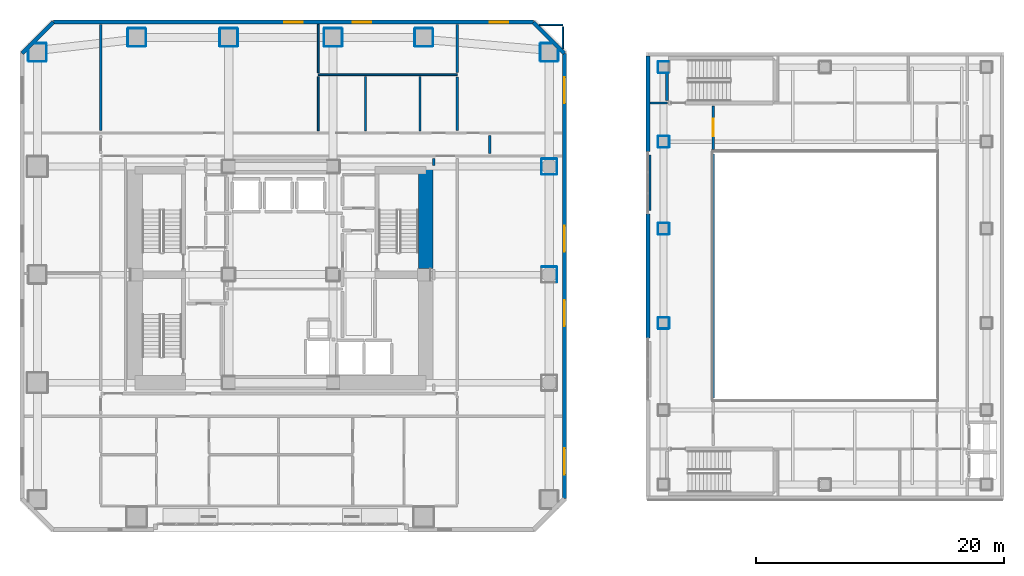
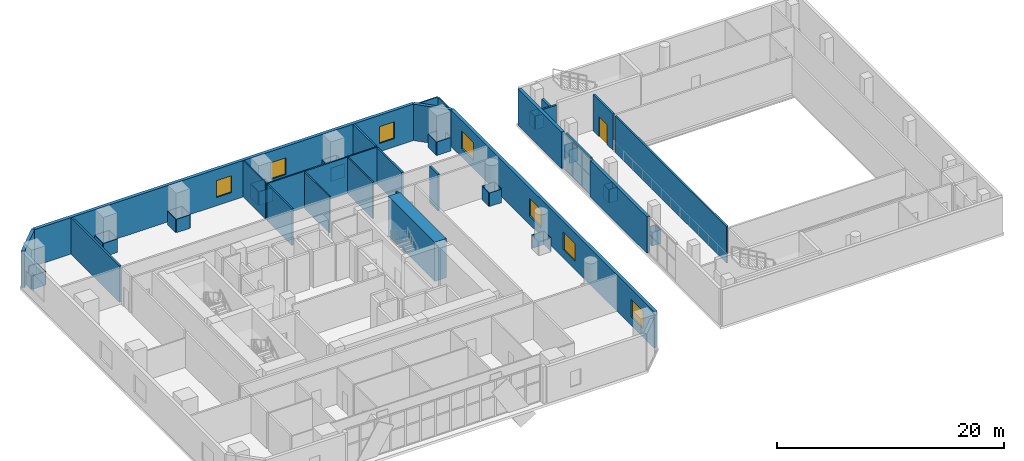
# One storey, part 15 of 20: 69 walls, 7 windows, 1 door, 8 openings.
"""IFC4 building model written with IfcOpenShell, lengths in metres."""

from ifc_helpers import new_model, si_unit, direction, frame, frame_2d, origin, place, context, subcontext, project, spatial, rectangle, extrude, material, layer, layer_set, type_object, element, fill, save


model = new_model("IFC4")

# Units and contexts
model_context = context("Model", 3, precision=1e-05, world=origin(), true_north=direction((0.0, 1.0)))
body_context = subcontext(model_context, "Body", "Model", "MODEL_VIEW")
ifc_project = project(units=[si_unit("LENGTHUNIT", "METRE"), si_unit("AREAUNIT", "SQUARE_METRE"), si_unit("VOLUMEUNIT", "CUBIC_METRE"), si_unit("PLANEANGLEUNIT", "RADIAN"), si_unit("MASSUNIT", "GRAM", prefix="KILO")], contexts=[model_context])

# Site, building, storey
site_placement = place(None, origin())
site = spatial("IfcSite", under=ifc_project, at=site_placement, CompositionType="ELEMENT")
building_placement = place(site_placement, origin())
building = spatial("IfcBuilding", under=site, at=building_placement, Name="Solanera Arch Residences", CompositionType="ELEMENT")
storey_placement = place(building_placement, frame((0.0, 0.0, 9.39990234375)))
storey = spatial("IfcBuildingStorey", under=building, at=storey_placement, Name="L02", CompositionType="ELEMENT", Elevation=9.39990234375)

# Walls
ifc_material_1 = material(Name="Fire-Rated Gypsum Stud Partition", Category="gypsum")
ifc_layer_1 = layer(ifc_material_1, 0.06005859375)
ifc_layer_set_1 = layer_set([ifc_layer_1], Name="Fire-Rated Gypsum Stud Partition")
wall_type_1 = type_object("IfcWallType", Name="Column Acoustic Furring Wall 60", PredefinedType="PARTITIONING", material=ifc_layer_set_1)
for number, where, z_axis, x_axis, name in (
    (1, (12.699951171875, 49.068115234375, 0.0), (0.0, 0.0, 1.0), (1.0, 0.0, 0.0), "L02 Column Furring 11S"),
    (2, (12.699951171875, 50.531982421875, 0.0), (0.0, 0.0, 1.0), (1.0, 0.0, 0.0), "L02 Column Furring 11N"),
):
    element("IfcWall", number, at=place(storey_placement, frame(where, z_axis=z_axis, x_axis=x_axis)), inside=storey, type_object=wall_type_1, Name=name, PredefinedType="PARTITIONING", context=body_context, shape_type="SweptSolid", body=[
        extrude(rectangle(XDim=1.400146484375, YDim=0.06005859375, at=frame_2d((0.7001953125, 0.0))), origin(), (0.0, 0.0, 1.0), 1.4501953125),
    ])
for number, where, z_axis, x_axis, name in (
    (3, (12.66796875, 49.10009765625, 0.0), (0.0, 0.0, 1.0), (0.0, 1.0, 0.0), "L02 Column Furring 11W"),
    (4, (14.132080078125, 49.10009765625, 0.0), (0.0, 0.0, 1.0), (0.0, 1.0, 0.0), "L02 Column Furring 11E"),
    (5, (20.10009765625, 49.068115234375, 0.0), (0.0, 0.0, 1.0), (1.0, 0.0, 0.0), "L02 Column Furring 12S"),
    (6, (20.10009765625, 50.531982421875, 0.0), (0.0, 0.0, 1.0), (1.0, 0.0, 0.0), "L02 Column Furring 12N"),
    (7, (20.068115234375, 49.10009765625, 0.0), (0.0, 0.0, 1.0), (0.0, 1.0, 0.0), "L02 Column Furring 12W"),
    (8, (21.531982421875, 49.10009765625, 0.0), (0.0, 0.0, 1.0), (0.0, 1.0, 0.0), "L02 Column Furring 12E"),
    (9, (28.5, 49.068115234375, 0.0), (0.0, 0.0, 1.0), (1.0, 0.0, 0.0), "L02 Column Furring 13S"),
    (10, (28.5, 50.531982421875, 0.0), (0.0, 0.0, 1.0), (1.0, 0.0, 0.0), "L02 Column Furring 13N"),
    (11, (28.468017578125, 49.10009765625, 0.0), (0.0, 0.0, 1.0), (0.0, 1.0, 0.0), "L02 Column Furring 13W"),
    (12, (29.931884765625, 49.10009765625, 0.0), (0.0, 0.0, 1.0), (0.0, 1.0, 0.0), "L02 Column Furring 13E"),
    (13, (35.800048828125, 49.068115234375, 0.0), (0.0, 0.0, 1.0), (1.0, 0.0, 0.0), "L02 Column Furring 14S"),
    (14, (35.800048828125, 50.531982421875, 0.0), (0.0, 0.0, 1.0), (1.0, 0.0, 0.0), "L02 Column Furring 14N"),
    (15, (35.76806640625, 49.10009765625, 0.0), (0.0, 0.0, 1.0), (0.0, 1.0, 0.0), "L02 Column Furring 14W"),
    (16, (37.23193359375, 49.10009765625, 0.0), (0.0, 0.0, 1.0), (0.0, 1.0, 0.0), "L02 Column Furring 14E"),
):
    element("IfcWall", number, at=place(storey_placement, frame(where, z_axis=z_axis, x_axis=x_axis)), inside=storey, type_object=wall_type_1, Name=name, PredefinedType="PARTITIONING", context=body_context, shape_type="SweptSolid", body=[
        extrude(rectangle(XDim=1.39990234375, YDim=0.06005859375, at=frame_2d((0.699951171875, 0.0))), origin(), (0.0, 0.0, 1.0), 1.4501953125),
    ])
for number, where, z_axis, x_axis, name in (
    (17, (46.0, 31.33203125, 0.0), (0.0, 0.0, 1.0), (1.0, 0.0, 0.0), "L02 Column Furring 19N"),
    (18, (47.23193359375, 30.10009765625, 0.0), (0.0, 0.0, 1.0), (0.0, 1.0, 0.0), "L02 Column Furring 19E"),
    (19, (46.0, 38.76806640625, 0.0), (0.0, 0.0, 1.0), (1.0, 0.0, 0.0), "L02 Column Furring 20S"),
    (20, (46.0, 40.031982421875, 0.0), (0.0, 0.0, 1.0), (1.0, 0.0, 0.0), "L02 Column Furring 20N"),
    (21, (45.968017578125, 38.800048828125, 0.0), (0.0, 0.0, 1.0), (0.0, 1.0, 0.0), "L02 Column Furring 20W"),
    (22, (47.23193359375, 38.800048828125, 0.0), (0.0, 0.0, 1.0), (0.0, 1.0, 0.0), "L02 Column Furring 20E"),
):
    element("IfcWall", number, at=place(storey_placement, frame(where, z_axis=z_axis, x_axis=x_axis)), inside=storey, type_object=wall_type_1, Name=name, PredefinedType="PARTITIONING", context=body_context, shape_type="SweptSolid", body=[
        extrude(rectangle(XDim=1.199951171875, YDim=0.06005859375, at=frame_2d((0.60009765625, 0.0))), origin(), (0.0, 0.0, 1.0), 1.4501953125),
    ])
wall_1_placement = place(storey_placement, frame((4.699951171875, 47.867919921875, 0.0), z_axis=(0.0, 0.0, 1.0), x_axis=(1.0, 0.0, 0.0)))
element("IfcWall", 23, at=wall_1_placement, inside=storey, type_object=wall_type_1, Name="L02 Column Furring 23S", PredefinedType="PARTITIONING", context=body_context, shape_type="SweptSolid", body=[
    extrude(rectangle(XDim=1.400146484375, YDim=0.06005859375, at=frame_2d((0.7001953125, 0.0))), origin(), (0.0, 0.0, 1.0), 1.4501953125),
])
for number, where, z_axis, x_axis, name in (
    (24, (5.239013671875, 49.33203125, 0.0), (0.0, 0.0, 1.0), (1.0, 0.0, 0.0), "L02 Column Furring 23N"),
    (25, (4.66796875, 47.89990234375, 0.0), (0.0, 0.0, 1.0), (0.0, 1.0, 0.0), "L02 Column Furring 23W"),
):
    element("IfcWall", number, at=place(storey_placement, frame(where, z_axis=z_axis, x_axis=x_axis)), inside=storey, type_object=wall_type_1, Name=name, PredefinedType="PARTITIONING", context=body_context, shape_type="SweptSolid", body=[
        extrude(rectangle(XDim=0.861083984375, YDim=0.06005859375, at=frame_2d((0.4306640625, 0.0))), origin(), (0.0, 0.0, 1.0), 1.4501953125),
    ])
for number, where, z_axis, x_axis, name in (
    (26, (6.132080078125, 47.89990234375, 0.0), (0.0, 0.0, 1.0), (0.0, 1.0, 0.0), "L02 Column Furring 23E"),
    (27, (45.89990234375, 47.867919921875, 0.0), (0.0, 0.0, 1.0), (1.0, 0.0, 0.0), "L02 Column Furring 24S"),
):
    element("IfcWall", number, at=place(storey_placement, frame(where, z_axis=z_axis, x_axis=x_axis)), inside=storey, type_object=wall_type_1, Name=name, PredefinedType="PARTITIONING", context=body_context, shape_type="SweptSolid", body=[
        extrude(rectangle(XDim=1.400146484375, YDim=0.06005859375, at=frame_2d((0.7001953125, 0.0))), origin(), (0.0, 0.0, 1.0), 1.4501953125),
    ])
wall_2_placement = place(storey_placement, frame((45.89990234375, 49.33203125, 0.0), z_axis=(0.0, 0.0, 1.0), x_axis=(1.0, 0.0, 0.0)))
element("IfcWall", 28, at=wall_2_placement, inside=storey, type_object=wall_type_1, Name="L02 Column Furring 24N", PredefinedType="PARTITIONING", context=body_context, shape_type="SweptSolid", body=[
    extrude(rectangle(XDim=0.861083984375, YDim=0.06005859375, at=frame_2d((0.4306640625, 0.0))), origin(), (0.0, 0.0, 1.0), 1.4501953125),
])
wall_3_placement = place(storey_placement, frame((45.867919921875, 47.89990234375, 0.0), z_axis=(0.0, 0.0, 1.0), x_axis=(0.0, 1.0, 0.0)))
element("IfcWall", 29, at=wall_3_placement, inside=storey, type_object=wall_type_1, Name="L02 Column Furring 24W", PredefinedType="PARTITIONING", context=body_context, shape_type="SweptSolid", body=[
    extrude(rectangle(XDim=1.400146484375, YDim=0.06005859375, at=frame_2d((0.7001953125, 0.0))), origin(), (0.0, 0.0, 1.0), 1.4501953125),
])
wall_4_placement = place(storey_placement, frame((47.33203125, 47.89990234375, 0.0), z_axis=(0.0, 0.0, 1.0), x_axis=(0.0, 1.0, 0.0)))
element("IfcWall", 30, at=wall_4_placement, inside=storey, type_object=wall_type_1, Name="L02 Column Furring 24E", PredefinedType="PARTITIONING", context=body_context, shape_type="SweptSolid", body=[
    extrude(rectangle(XDim=0.861083984375, YDim=0.06005859375, at=frame_2d((0.4306640625, 0.0))), origin(), (0.0, 0.0, 1.0), 1.4501953125),
])
for number, where, z_axis, x_axis, name in (
    (31, (55.375, 26.343017578125, 0.0), (0.0, 0.0, 1.0), (1.0, 0.0, 0.0), "L02 Column Furring 27S"),
    (32, (55.375, 27.257080078125, 0.0), (0.0, 0.0, 1.0), (1.0, 0.0, 0.0), "L02 Column Furring 27N"),
    (33, (55.343017578125, 26.375, 0.0), (0.0, 0.0, 1.0), (0.0, 1.0, 0.0), "L02 Column Furring 27W"),
    (34, (56.257080078125, 26.375, 0.0), (0.0, 0.0, 1.0), (0.0, 1.0, 0.0), "L02 Column Furring 27E"),
    (35, (55.375, 33.943115234375, 0.0), (0.0, 0.0, 1.0), (1.0, 0.0, 0.0), "L02 Column Furring 28S"),
    (36, (55.375, 34.85693359375, 0.0), (0.0, 0.0, 1.0), (1.0, 0.0, 0.0), "L02 Column Furring 28N"),
):
    element("IfcWall", number, at=place(storey_placement, frame(where, z_axis=z_axis, x_axis=x_axis)), inside=storey, type_object=wall_type_1, Name=name, PredefinedType="PARTITIONING", context=body_context, shape_type="SweptSolid", body=[
        extrude(rectangle(XDim=0.85009765625, YDim=0.06005859375, at=frame_2d((0.425048828125, 0.0))), origin(), (0.0, 0.0, 1.0), 1.4501953125),
    ])
for number, where, z_axis, x_axis, name in (
    (37, (55.343017578125, 33.97509765625, 0.0), (0.0, 0.0, 1.0), (0.0, 1.0, 0.0), "L02 Column Furring 28W"),
    (38, (56.257080078125, 33.97509765625, 0.0), (0.0, 0.0, 1.0), (0.0, 1.0, 0.0), "L02 Column Furring 28E"),
):
    element("IfcWall", number, at=place(storey_placement, frame(where, z_axis=z_axis, x_axis=x_axis)), inside=storey, type_object=wall_type_1, Name=name, PredefinedType="PARTITIONING", context=body_context, shape_type="SweptSolid", body=[
        extrude(rectangle(XDim=0.849853515625, YDim=0.06005859375, at=frame_2d((0.4248046875, 0.0))), origin(), (0.0, 0.0, 1.0), 1.4501953125),
    ])
for number, where, z_axis, x_axis, name in (
    (39, (55.375, 40.943115234375, 0.0), (0.0, 0.0, 1.0), (1.0, 0.0, 0.0), "L02 Column Furring 29S"),
    (40, (55.375, 41.85693359375, 0.0), (0.0, 0.0, 1.0), (1.0, 0.0, 0.0), "L02 Column Furring 29N"),
):
    element("IfcWall", number, at=place(storey_placement, frame(where, z_axis=z_axis, x_axis=x_axis)), inside=storey, type_object=wall_type_1, Name=name, PredefinedType="PARTITIONING", context=body_context, shape_type="SweptSolid", body=[
        extrude(rectangle(XDim=0.85009765625, YDim=0.06005859375, at=frame_2d((0.425048828125, 0.0))), origin(), (0.0, 0.0, 1.0), 1.4501953125),
    ])
for number, where, z_axis, x_axis, name in (
    (41, (55.343017578125, 40.97509765625, 0.0), (0.0, 0.0, 1.0), (0.0, 1.0, 0.0), "L02 Column Furring 29W"),
    (42, (56.257080078125, 40.97509765625, 0.0), (0.0, 0.0, 1.0), (0.0, 1.0, 0.0), "L02 Column Furring 29E"),
):
    element("IfcWall", number, at=place(storey_placement, frame(where, z_axis=z_axis, x_axis=x_axis)), inside=storey, type_object=wall_type_1, Name=name, PredefinedType="PARTITIONING", context=body_context, shape_type="SweptSolid", body=[
        extrude(rectangle(XDim=0.849853515625, YDim=0.06005859375, at=frame_2d((0.4248046875, 0.0))), origin(), (0.0, 0.0, 1.0), 1.4501953125),
    ])
for number, where, z_axis, x_axis, name in (
    (43, (55.375, 46.943115234375, 0.0), (0.0, 0.0, 1.0), (1.0, 0.0, 0.0), "L02 Column Furring 30S"),
    (44, (55.375, 47.85693359375, 0.0), (0.0, 0.0, 1.0), (1.0, 0.0, 0.0), "L02 Column Furring 30N"),
):
    element("IfcWall", number, at=place(storey_placement, frame(where, z_axis=z_axis, x_axis=x_axis)), inside=storey, type_object=wall_type_1, Name=name, PredefinedType="PARTITIONING", context=body_context, shape_type="SweptSolid", body=[
        extrude(rectangle(XDim=0.85009765625, YDim=0.06005859375, at=frame_2d((0.425048828125, 0.0))), origin(), (0.0, 0.0, 1.0), 1.4501953125),
    ])
wall_5_placement = place(storey_placement, frame((55.343017578125, 46.97509765625, 0.0), z_axis=(0.0, 0.0, 1.0), x_axis=(0.0, 1.0, 0.0)))
element("IfcWall", 45, at=wall_5_placement, inside=storey, type_object=wall_type_1, Name="L02 Column Furring 30W", PredefinedType="PARTITIONING", context=body_context, shape_type="SweptSolid", body=[
    extrude(rectangle(XDim=0.849853515625, YDim=0.06005859375, at=frame_2d((0.4248046875, 0.0))), origin(), (0.0, 0.0, 1.0), 1.4501953125),
])
ifc_material_2 = material(Name="Concrete C55/67 (f'c = 60 MPa)", Category="concrete")
ifc_layer_2 = layer(ifc_material_2, 1.199951171875)
ifc_layer_set_2 = layer_set([ifc_layer_2], Name="Concrete C55/67 (f'c = 60 MPa)")
wall_type_2 = type_object("IfcWallType", Name="Core Shear Wall CW-1200", PredefinedType="SHEAR", material=ifc_layer_set_2)
wall_6_placement = place(storey_placement, frame((36.659912109375, 31.205078125, 0.0), z_axis=(0.0, 0.0, 1.0), x_axis=(0.0, 1.0, 0.0)))
element("IfcWall", 46, at=wall_6_placement, inside=storey, type_object=wall_type_2, Name="L02 East Core North Shear Wall", PredefinedType="SHEAR", context=body_context, shape_type="SweptSolid", body=[
    extrude(rectangle(XDim=8.19482421875, YDim=1.199951171875, at=frame_2d((4.097412109375, 0.0))), origin(), (0.0, 0.0, 1.0), 4.2001953125),
])
ifc_material_3 = material(Name="Autoclaved Aerated Concrete Blockwork", Category="masonry")
ifc_layer_3 = layer(ifc_material_3, 0.179931640625)
ifc_layer_set_3 = layer_set([ifc_layer_3], Name="Autoclaved Aerated Concrete Blockwork")
wall_type_3 = type_object("IfcWallType", Name="Corridor Fire Partition 180", PredefinedType="PARTITIONING", material=ifc_layer_set_3)
wall_7_placement = place(storey_placement, frame((54.7119140625, 44.52001953125, 0.0), z_axis=(0.0, 0.0, 1.0), x_axis=(1.0, 0.0, 0.0)))
element("IfcWall", 47, at=wall_7_placement, inside=storey, type_object=wall_type_3, Name="L02 Interior Partition H16 1", PredefinedType="PARTITIONING", context=body_context, shape_type="SweptSolid", body=[
    extrude(rectangle(XDim=1.38818359375, YDim=0.179931640625, at=frame_2d((0.694091796875, 0.0))), origin(), (0.0, 0.0, 1.0), 3.920166015625),
])
wall_8_placement = place(storey_placement, frame((10.5, 42.2880859375, 0.0), z_axis=(0.0, 0.0, 1.0), x_axis=(0.0, 1.0, 0.0)))
element("IfcWall", 48, at=wall_8_placement, inside=storey, type_object=wall_type_3, Name="L02 Interior Partition V7 7", PredefinedType="PARTITIONING", context=body_context, shape_type="SweptSolid", body=[
    extrude(rectangle(XDim=8.559814453125, YDim=0.179931640625, at=frame_2d((4.27978515625, 0.0))), origin(), (0.0, 0.0, 1.0), 3.920166015625),
])
wall_9_placement = place(storey_placement, frame((37.300048828125, 39.491943359375, 0.0), z_axis=(0.0, 0.0, 1.0), x_axis=(0.0, 1.0, 0.0)))
element("IfcWall", 49, at=wall_9_placement, inside=storey, type_object=wall_type_3, Name="L02 Interior Partition V9 3", PredefinedType="PARTITIONING", context=body_context, shape_type="SweptSolid", body=[
    extrude(rectangle(XDim=0.570068359375, YDim=0.179931640625, at=frame_2d((0.28515625, 0.0))), origin(), (0.0, 0.0, 1.0), 3.920166015625),
])
wall_10_placement = place(storey_placement, frame((39.199951171875, 42.2880859375, 0.0), z_axis=(0.0, 0.0, 1.0), x_axis=(0.0, 1.0, 0.0)))
element("IfcWall", 50, at=wall_10_placement, inside=storey, type_object=wall_type_3, Name="L02 Interior Partition V11 1", PredefinedType="PARTITIONING", context=body_context, shape_type="SweptSolid", body=[
    extrude(rectangle(XDim=4.343994140625, YDim=0.179931640625, at=frame_2d((2.171875, 0.0))), origin(), (0.0, 0.0, 1.0), 3.920166015625),
])
wall_11_placement = place(storey_placement, frame((39.199951171875, 46.968017578125, 0.0), z_axis=(0.0, 0.0, 1.0), x_axis=(0.0, 1.0, 0.0)))
element("IfcWall", 51, at=wall_11_placement, inside=storey, type_object=wall_type_3, Name="L02 Interior Partition V11 2", PredefinedType="PARTITIONING", context=body_context, shape_type="SweptSolid", body=[
    extrude(rectangle(XDim=3.8798828125, YDim=0.179931640625, at=frame_2d((1.93994140625, 0.0))), origin(), (0.0, 0.0, 1.0), 3.920166015625),
])
wall_12_placement = place(storey_placement, frame((41.800048828125, 40.43798828125, 0.0), z_axis=(0.0, 0.0, 1.0), x_axis=(0.0, 1.0, 0.0)))
element("IfcWall", 52, at=wall_12_placement, inside=storey, type_object=wall_type_3, Name="L02 Interior Partition V12", PredefinedType="PARTITIONING", context=body_context, shape_type="SweptSolid", body=[
    extrude(rectangle(XDim=1.47412109375, YDim=0.179931640625, at=frame_2d((0.737060546875, 0.0))), origin(), (0.0, 0.0, 1.0), 3.920166015625),
])
wall_13_placement = place(storey_placement, frame((54.699951171875, 35.8701171875, 0.0), z_axis=(0.0, 0.0, 1.0), x_axis=(0.0, 1.0, 0.0)))
element("IfcWall", 53, at=wall_13_placement, inside=storey, type_object=wall_type_3, Name="L02 Interior Partition V13 2", PredefinedType="PARTITIONING", context=body_context, shape_type="SweptSolid", body=[
    extrude(rectangle(XDim=4.4599609375, YDim=0.179931640625, at=frame_2d((2.22998046875, 0.0))), origin(), (0.0, 0.0, 1.0), 3.920166015625),
])
wall_14_placement = place(storey_placement, frame((59.800048828125, 20.7880859375, 0.0), z_axis=(0.0, 0.0, 1.0), x_axis=(0.0, 1.0, 0.0)))
element("IfcWall", 54, at=wall_14_placement, inside=storey, type_object=wall_type_3, Name="L02 Interior Partition V14 2", PredefinedType="PARTITIONING", context=body_context, shape_type="SweptSolid", body=[
    extrude(rectangle(XDim=19.6240234375, YDim=0.179931640625, at=frame_2d((9.81201171875, 0.0))), origin(), (0.0, 0.0, 1.0), 3.920166015625),
])

# Wall, opening, door
wall_15_placement = place(storey_placement, frame((59.800048828125, 40.7880859375, 0.0), z_axis=(0.0, 0.0, 1.0), x_axis=(0.0, 1.0, 0.0)))
wall_15 = element("IfcWall", 55, at=wall_15_placement, inside=storey, type_object=wall_type_3, Name="L02 Interior Partition V14 3", PredefinedType="PARTITIONING", context=body_context, shape_type="SweptSolid", body=[
    extrude(rectangle(XDim=3.471923828125, YDim=0.179931640625, at=frame_2d((1.73583984375, 0.0))), origin(), (0.0, 0.0, 1.0), 3.920166015625),
])
opening_1_placement = place(wall_15_placement, frame((1.048095703125, 0.0, 0.0)))
opening_1 = element("IfcOpeningElement", 56, at=opening_1_placement, cuts=wall_15, Name="Opening DF-03", PredefinedType="OPENING", context=body_context, shape_type="SweptSolid", body=[
    extrude(rectangle(XDim=1.39990234375, YDim=2.14990234375, at=frame_2d((0.699951171875, 1.074951171875))), frame((0.0, 0.10009765625, 0.0), z_axis=(0.0, -1.0, 0.0), x_axis=(1.0, 0.0, 0.0)), (0.0, 0.0, 1.0), 0.1999),
])
ifc_material_4 = material(Name="Fire-Rated Architectural Hardwood", Category="wood")
door_type = type_object("IfcDoorType", Name="Corridor Smoke Door DF-03", OperationType="NOTDEFINED", PredefinedType="DOOR", material=ifc_material_4)
door_placement = place(opening_1_placement, origin())
door = element("IfcDoor", 57, at=door_placement, inside=storey, type_object=door_type, Name="DR-L02-IN-019", OperationType="SINGLE_SWING_RIGHT", OverallHeight=2.14990234375, OverallWidth=1.39990234375, PredefinedType="DOOR", context=body_context, shape_type="SweptSolid", body=[
    extrude(rectangle(XDim=1.39990234375, YDim=2.14990234375, at=frame_2d((0.699951171875, 1.074951171875))), frame((0.0, 0.02490234375, 0.0), z_axis=(0.0, -1.0, 0.0), x_axis=(1.0, 0.0, 0.0)), (0.0, 0.0, 1.0), 0.050048828125),
])
fill(opening_1, door)

# Walls
ifc_material_5 = material(Name="Precast Concrete C35/45", Category="concrete")
ifc_layer_4 = layer(ifc_material_5, 0.300048828125)
ifc_layer_set_4 = layer_set([ifc_layer_4], Name="Precast Concrete C35/45")
wall_type_4 = type_object("IfcWallType", Name="Exterior Wall Precast Masonry-Frame 300", PredefinedType="STANDARD", material=ifc_layer_set_4)
wall_16_placement = place(storey_placement, frame((54.550048828125, 25.60009765625, 0.0), z_axis=(0.0, 0.0, 1.0), x_axis=(0.0, 1.0, 0.0)))
element("IfcWall", 58, at=wall_16_placement, inside=storey, type_object=wall_type_4, Name="L02 Sports Hall West Central Pier", PredefinedType="STANDARD", context=body_context, shape_type="SweptSolid", body=[
    extrude(rectangle(XDim=10.0, YDim=0.300048828125, at=frame_2d((5.0, 0.0))), origin(), (0.0, 0.0, 1.0), 3.920166015625),
])
wall_17_placement = place(storey_placement, frame((54.550048828125, 40.60009765625, 0.0), z_axis=(0.0, 0.0, 1.0), x_axis=(0.0, 1.0, 0.0)))
element("IfcWall", 59, at=wall_17_placement, inside=storey, type_object=wall_type_4, Name="L02 Sports Hall West Pier 3", PredefinedType="STANDARD", context=body_context, shape_type="SweptSolid", body=[
    extrude(rectangle(XDim=7.699951171875, YDim=0.300048828125, at=frame_2d((3.85009765625, 0.0))), origin(), (0.0, 0.0, 1.0), 3.920166015625),
])
ifc_material_6 = material(Name="Precast Concrete C35/45", Category="concrete")
ifc_layer_5 = layer(ifc_material_6, 0.320068359375)
ifc_layer_set_5 = layer_set([ifc_layer_5], Name="Precast Concrete C35/45")
wall_type_5 = type_object("IfcWallType", Name="Exterior Wall Precast Masonry-Frame 320", PredefinedType="STANDARD", material=ifc_layer_set_5)
wall_18_placement = place(storey_placement, frame((4.179931640625, 48.52001953125, 0.0), z_axis=(0.0, 0.0, 1.0), x_axis=(0.707106781187, 0.707106781187, 0.0)))
element("IfcWall", 60, at=wall_18_placement, inside=storey, type_object=wall_type_5, Name="L02 Podium Precast Masonry-Frame Wall 2", PredefinedType="STANDARD", context=body_context, shape_type="SweptSolid", body=[
    extrude(rectangle(XDim=3.53564453125, YDim=0.320068359375, at=frame_2d((1.767822265625, 0.0))), origin(), (0.0, 0.0, 1.0), 3.920166015625),
])

# Wall, openings, windows
wall_19_placement = place(storey_placement, frame((6.679931640625, 51.02001953125, 0.0), z_axis=(0.0, 0.0, 1.0), x_axis=(1.0, 0.0, 0.0)))
wall_19 = element("IfcWall", 61, at=wall_19_placement, inside=storey, type_object=wall_type_5, Name="L02 Podium Precast Masonry-Frame Wall 3", PredefinedType="STANDARD", context=body_context, shape_type="SweptSolid", body=[
    extrude(rectangle(XDim=38.64013671875, YDim=0.320068359375, at=frame_2d((19.320068359375, 0.0))), origin(), (0.0, 0.0, 1.0), 3.920166015625),
])
opening_2_placement = place(wall_19_placement, frame((18.570068359375, 0.0, 0.89990234375)))
opening_2 = element("IfcOpeningElement", 62, at=opening_2_placement, cuts=wall_19, Name="Opening W-02", PredefinedType="OPENING", context=body_context, shape_type="SweptSolid", body=[
    extrude(rectangle(XDim=1.5, YDim=1.800048828125, at=frame_2d((0.75, 0.89990234375))), frame((0.0, 0.169921875, 0.0), z_axis=(0.0, -1.0, 0.0), x_axis=(1.0, 0.0, 0.0)), (0.0, 0.0, 1.0), 0.3401),
])
opening_3_placement = place(wall_19_placement, frame((24.090087890625, 0.0, 0.89990234375)))
opening_3 = element("IfcOpeningElement", 63, at=opening_3_placement, cuts=wall_19, Name="Opening W-02", PredefinedType="OPENING", context=body_context, shape_type="SweptSolid", body=[
    extrude(rectangle(XDim=1.5, YDim=1.800048828125, at=frame_2d((0.75, 0.89990234375))), frame((0.0, 0.169921875, 0.0), z_axis=(0.0, -1.0, 0.0), x_axis=(1.0, 0.0, 0.0)), (0.0, 0.0, 1.0), 0.3401),
])
opening_4_placement = place(wall_19_placement, frame((35.1298828125, 0.0, 0.89990234375)))
opening_4 = element("IfcOpeningElement", 64, at=opening_4_placement, cuts=wall_19, Name="Opening W-02", PredefinedType="OPENING", context=body_context, shape_type="SweptSolid", body=[
    extrude(rectangle(XDim=1.5, YDim=1.800048828125, at=frame_2d((0.75, 0.89990234375))), frame((0.0, 0.169921875, 0.0), z_axis=(0.0, -1.0, 0.0), x_axis=(1.0, 0.0, 0.0)), (0.0, 0.0, 1.0), 0.3401),
])
ifc_material_7 = material(Name="Double Glazed Low-E Laminated Glass", Category="glass")
window_type_1 = type_object("IfcWindowType", Name="Punched Window W-02", PartitioningType="DOUBLE_PANEL_VERTICAL", PredefinedType="WINDOW", material=ifc_material_7)
window_1_placement = place(opening_2_placement, origin())
window_1 = element("IfcWindow", 65, at=window_1_placement, inside=storey, type_object=window_type_1, Name="L02 Podium Window 3.4", OverallHeight=1.800048828125, OverallWidth=1.5, PartitioningType="SINGLE_PANEL", PredefinedType="WINDOW", context=body_context, shape_type="SweptSolid", body=[
    extrude(rectangle(XDim=1.5, YDim=1.800048828125, at=frame_2d((0.75, 0.89990234375))), frame((0.0, 0.030029296875, 0.0), z_axis=(0.0, -1.0, 0.0), x_axis=(1.0, 0.0, 0.0)), (0.0, 0.0, 1.0), 0.06005859375),
])
fill(opening_2, window_1)
window_2_placement = place(opening_3_placement, origin())
window_2 = element("IfcWindow", 66, at=window_2_placement, inside=storey, type_object=window_type_1, Name="L02 Podium Window 3.5", OverallHeight=1.800048828125, OverallWidth=1.5, PartitioningType="SINGLE_PANEL", PredefinedType="WINDOW", context=body_context, shape_type="SweptSolid", body=[
    extrude(rectangle(XDim=1.5, YDim=1.800048828125, at=frame_2d((0.75, 0.89990234375))), frame((0.0, 0.030029296875, 0.0), z_axis=(0.0, -1.0, 0.0), x_axis=(1.0, 0.0, 0.0)), (0.0, 0.0, 1.0), 0.06005859375),
])
fill(opening_3, window_2)
window_3_placement = place(opening_4_placement, origin())
window_3 = element("IfcWindow", 67, at=window_3_placement, inside=storey, type_object=window_type_1, Name="L02 Podium Window 3.7", OverallHeight=1.800048828125, OverallWidth=1.5, PartitioningType="SINGLE_PANEL", PredefinedType="WINDOW", context=body_context, shape_type="SweptSolid", body=[
    extrude(rectangle(XDim=1.5, YDim=1.800048828125, at=frame_2d((0.75, 0.89990234375))), frame((0.0, 0.030029296875, 0.0), z_axis=(0.0, -1.0, 0.0), x_axis=(1.0, 0.0, 0.0)), (0.0, 0.0, 1.0), 0.06005859375),
])
fill(opening_4, window_3)

# Wall
wall_20_placement = place(storey_placement, frame((45.320068359375, 51.02001953125, 0.0), z_axis=(0.0, 0.0, 1.0), x_axis=(0.707106781187, -0.707106781187, 0.0)))
element("IfcWall", 68, at=wall_20_placement, inside=storey, type_object=wall_type_5, Name="L02 Podium Precast Masonry-Frame Wall 4", PredefinedType="STANDARD", context=body_context, shape_type="SweptSolid", body=[
    extrude(rectangle(XDim=3.53564453125, YDim=0.320068359375, at=frame_2d((1.767822265625, 0.0))), origin(), (0.0, 0.0, 1.0), 3.920166015625),
])

# Wall, openings, windows
wall_21_placement = place(storey_placement, frame((47.820068359375, 48.52001953125, 0.0), z_axis=(0.0, 0.0, 1.0), x_axis=(0.0, -1.0, 0.0)))
wall_21 = element("IfcWall", 69, at=wall_21_placement, inside=storey, type_object=wall_type_5, Name="L02 Podium Precast Masonry-Frame Wall 5", PredefinedType="STANDARD", context=body_context, shape_type="SweptSolid", body=[
    extrude(rectangle(XDim=35.840087890625, YDim=0.320068359375, at=frame_2d((17.919921875, 0.0))), origin(), (0.0, 0.0, 1.0), 3.920166015625),
])
opening_5_placement = place(wall_21_placement, frame((1.93701171875, 0.0, 0.89990234375)))
opening_5 = element("IfcOpeningElement", 70, at=opening_5_placement, cuts=wall_21, Name="Opening W-04", PredefinedType="OPENING", context=body_context, shape_type="SweptSolid", body=[
    extrude(rectangle(XDim=2.10009765625, YDim=1.89990234375, at=frame_2d((1.050048828125, 0.949951171875))), frame((0.0, 0.169921875, 0.0), z_axis=(0.0, -1.0, 0.0), x_axis=(1.0, 0.0, 0.0)), (0.0, 0.0, 1.0), 0.3401),
])
opening_6_placement = place(wall_21_placement, frame((13.883056640625, 0.0, 0.89990234375)))
opening_6 = element("IfcOpeningElement", 71, at=opening_6_placement, cuts=wall_21, Name="Opening W-04", PredefinedType="OPENING", context=body_context, shape_type="SweptSolid", body=[
    extrude(rectangle(XDim=2.10009765625, YDim=1.89990234375, at=frame_2d((1.050048828125, 0.949951171875))), frame((0.0, 0.169921875, 0.0), z_axis=(0.0, -1.0, 0.0), x_axis=(1.0, 0.0, 0.0)), (0.0, 0.0, 1.0), 0.3401),
])
opening_7_placement = place(wall_21_placement, frame((19.85693359375, 0.0, 0.89990234375)))
opening_7 = element("IfcOpeningElement", 72, at=opening_7_placement, cuts=wall_21, Name="Opening W-04", PredefinedType="OPENING", context=body_context, shape_type="SweptSolid", body=[
    extrude(rectangle(XDim=2.10009765625, YDim=1.89990234375, at=frame_2d((1.050048828125, 0.949951171875))), frame((0.0, 0.169921875, 0.0), z_axis=(0.0, -1.0, 0.0), x_axis=(1.0, 0.0, 0.0)), (0.0, 0.0, 1.0), 0.3401),
])
opening_8_placement = place(wall_21_placement, frame((31.802978515625, 0.0, 0.89990234375)))
opening_8 = element("IfcOpeningElement", 73, at=opening_8_placement, cuts=wall_21, Name="Opening W-04", PredefinedType="OPENING", context=body_context, shape_type="SweptSolid", body=[
    extrude(rectangle(XDim=2.10009765625, YDim=1.89990234375, at=frame_2d((1.050048828125, 0.949951171875))), frame((0.0, 0.169921875, 0.0), z_axis=(0.0, -1.0, 0.0), x_axis=(1.0, 0.0, 0.0)), (0.0, 0.0, 1.0), 0.3401),
])
ifc_material_8 = material(Name="Double Glazed Low-E Laminated Glass", Category="glass")
window_type_2 = type_object("IfcWindowType", Name="Punched Window W-04", PartitioningType="DOUBLE_PANEL_VERTICAL", PredefinedType="WINDOW", material=ifc_material_8)
window_4_placement = place(opening_5_placement, origin())
window_4 = element("IfcWindow", 74, at=window_4_placement, inside=storey, type_object=window_type_2, Name="L02 Podium Window 5.1", OverallHeight=1.89990234375, OverallWidth=2.10009765625, PartitioningType="SINGLE_PANEL", PredefinedType="WINDOW", context=body_context, shape_type="SweptSolid", body=[
    extrude(rectangle(XDim=2.10009765625, YDim=1.89990234375, at=frame_2d((1.050048828125, 0.949951171875))), frame((0.0, 0.030029296875, 0.0), z_axis=(0.0, -1.0, 0.0), x_axis=(1.0, 0.0, 0.0)), (0.0, 0.0, 1.0), 0.06005859375),
])
fill(opening_5, window_4)
window_5_placement = place(opening_6_placement, origin())
window_5 = element("IfcWindow", 75, at=window_5_placement, inside=storey, type_object=window_type_2, Name="L02 Podium Window 5.3", OverallHeight=1.89990234375, OverallWidth=2.10009765625, PartitioningType="SINGLE_PANEL", PredefinedType="WINDOW", context=body_context, shape_type="SweptSolid", body=[
    extrude(rectangle(XDim=2.10009765625, YDim=1.89990234375, at=frame_2d((1.050048828125, 0.949951171875))), frame((0.0, 0.030029296875, 0.0), z_axis=(0.0, -1.0, 0.0), x_axis=(1.0, 0.0, 0.0)), (0.0, 0.0, 1.0), 0.06005859375),
])
fill(opening_6, window_5)
window_6_placement = place(opening_7_placement, origin())
window_6 = element("IfcWindow", 76, at=window_6_placement, inside=storey, type_object=window_type_2, Name="L02 Podium Window 5.4", OverallHeight=1.89990234375, OverallWidth=2.10009765625, PartitioningType="SINGLE_PANEL", PredefinedType="WINDOW", context=body_context, shape_type="SweptSolid", body=[
    extrude(rectangle(XDim=2.10009765625, YDim=1.89990234375, at=frame_2d((1.050048828125, 0.949951171875))), frame((0.0, 0.030029296875, 0.0), z_axis=(0.0, -1.0, 0.0), x_axis=(1.0, 0.0, 0.0)), (0.0, 0.0, 1.0), 0.06005859375),
])
fill(opening_7, window_6)
window_7_placement = place(opening_8_placement, origin())
window_7 = element("IfcWindow", 77, at=window_7_placement, inside=storey, type_object=window_type_2, Name="L02 Podium Window 5.6", OverallHeight=1.89990234375, OverallWidth=2.10009765625, PartitioningType="SINGLE_PANEL", PredefinedType="WINDOW", context=body_context, shape_type="SweptSolid", body=[
    extrude(rectangle(XDim=2.10009765625, YDim=1.89990234375, at=frame_2d((1.050048828125, 0.949951171875))), frame((0.0, 0.030029296875, 0.0), z_axis=(0.0, -1.0, 0.0), x_axis=(1.0, 0.0, 0.0)), (0.0, 0.0, 1.0), 0.06005859375),
])
fill(opening_8, window_7)

# Walls
ifc_material_9 = material(Name="Autoclaved Aerated Concrete Blockwork", Category="masonry")
ifc_layer_6 = layer(ifc_material_9, 0.239990234375)
ifc_layer_set_6 = layer_set([ifc_layer_6], Name="Autoclaved Aerated Concrete Blockwork")
wall_type_6 = type_object("IfcWallType", Name="Shaft Wall Fire-Rated 240", PredefinedType="PARTITIONING", material=ifc_layer_set_6)
wall_22_placement = place(storey_placement, frame((56.080078125, 44.72998046875, 0.0), z_axis=(0.0, 0.0, 1.0), x_axis=(0.0, 1.0, 0.0)))
element("IfcWall", 78, at=wall_22_placement, inside=storey, type_object=wall_type_6, Name="L02 Stair ST-H2 West Wall", PredefinedType="PARTITIONING", context=body_context, shape_type="SweptSolid", body=[
    extrude(rectangle(XDim=2.113037109375, YDim=0.239990234375, at=frame_2d((1.056640625, 0.0))), origin(), (0.0, 0.0, 1.0), 3.155029296875),
])
ifc_material_10 = material(Name="Fire-Rated Gypsum Stud Partition", Category="gypsum")
ifc_layer_7 = layer(ifc_material_10, 0.1201171875)
ifc_layer_set_7 = layer_set([ifc_layer_7], Name="Fire-Rated Gypsum Stud Partition")
wall_type_7 = type_object("IfcWallType", Name="Unit Drywall Partition 120", PredefinedType="PARTITIONING", material=ifc_layer_set_7)
wall_23_placement = place(storey_placement, frame((45.782958984375, 50.800048828125, 0.0), z_axis=(0.0, 0.0, 1.0), x_axis=(1.0, 0.0, 0.0)))
element("IfcWall", 79, at=wall_23_placement, inside=storey, type_object=wall_type_7, Name="L02 Interior Partition H26", PredefinedType="PARTITIONING", context=body_context, shape_type="SweptSolid", body=[
    extrude(rectangle(XDim=1.9169921875, YDim=0.1201171875, at=frame_2d((0.95849609375, 0.0))), origin(), (0.0, 0.0, 1.0), 3.920166015625),
])
wall_24_placement = place(storey_placement, frame((47.699951171875, 48.883056640625, 0.0), z_axis=(0.0, 0.0, 1.0), x_axis=(0.0, 1.0, 0.0)))
element("IfcWall", 80, at=wall_24_placement, inside=storey, type_object=wall_type_7, Name="L02 Interior Partition V29", PredefinedType="PARTITIONING", context=body_context, shape_type="SweptSolid", body=[
    extrude(rectangle(XDim=1.7890625, YDim=0.1201171875, at=frame_2d((0.89453125, 0.0))), origin(), (0.0, 0.0, 1.0), 3.920166015625),
])
ifc_material_11 = material(Name="Autoclaved Aerated Concrete Blockwork", Category="masonry")
ifc_layer_8 = layer(ifc_material_11, 0.139892578125)
ifc_layer_set_8 = layer_set([ifc_layer_8], Name="Autoclaved Aerated Concrete Blockwork")
wall_type_8 = type_object("IfcWallType", Name="Wet-Room Partition 140", PredefinedType="PARTITIONING", material=ifc_layer_set_8)
wall_25_placement = place(storey_placement, frame((28.0, 46.800048828125, 0.0), z_axis=(0.0, 0.0, 1.0), x_axis=(1.0, 0.0, 0.0)))
element("IfcWall", 81, at=wall_25_placement, inside=storey, type_object=wall_type_8, Name="L02 Interior Partition H21", PredefinedType="PARTITIONING", context=body_context, shape_type="SweptSolid", body=[
    extrude(rectangle(XDim=11.199951171875, YDim=0.139892578125, at=frame_2d((5.60009765625, 0.0))), origin(), (0.0, 0.0, 1.0), 3.920166015625),
])
wall_26_placement = place(storey_placement, frame((28.0, 42.26806640625, 0.0), z_axis=(0.0, 0.0, 1.0), x_axis=(0.0, 1.0, 0.0)))
element("IfcWall", 82, at=wall_26_placement, inside=storey, type_object=wall_type_8, Name="L02 Interior Partition V19 1", PredefinedType="PARTITIONING", context=body_context, shape_type="SweptSolid", body=[
    extrude(rectangle(XDim=4.384033203125, YDim=0.139892578125, at=frame_2d((2.19189453125, 0.0))), origin(), (0.0, 0.0, 1.0), 3.920166015625),
])
wall_27_placement = place(storey_placement, frame((28.0, 46.947998046875, 0.0), z_axis=(0.0, 0.0, 1.0), x_axis=(0.0, 1.0, 0.0)))
element("IfcWall", 83, at=wall_27_placement, inside=storey, type_object=wall_type_8, Name="L02 Interior Partition V19 2", PredefinedType="PARTITIONING", context=body_context, shape_type="SweptSolid", body=[
    extrude(rectangle(XDim=3.89990234375, YDim=0.139892578125, at=frame_2d((1.949951171875, 0.0))), origin(), (0.0, 0.0, 1.0), 3.920166015625),
])
for number, where, z_axis, x_axis, name in (
    (84, (31.800048828125, 42.26806640625, 0.0), (0.0, 0.0, 1.0), (0.0, 1.0, 0.0), "L02 Interior Partition V21"),
    (85, (36.199951171875, 42.26806640625, 0.0), (0.0, 0.0, 1.0), (0.0, 1.0, 0.0), "L02 Interior Partition V22"),
):
    element("IfcWall", number, at=place(storey_placement, frame(where, z_axis=z_axis, x_axis=x_axis)), inside=storey, type_object=wall_type_8, Name=name, PredefinedType="PARTITIONING", context=body_context, shape_type="SweptSolid", body=[
        extrude(rectangle(XDim=4.384033203125, YDim=0.139892578125, at=frame_2d((2.19189453125, 0.0))), origin(), (0.0, 0.0, 1.0), 3.920166015625),
    ])

save(model, "model.ifc")
